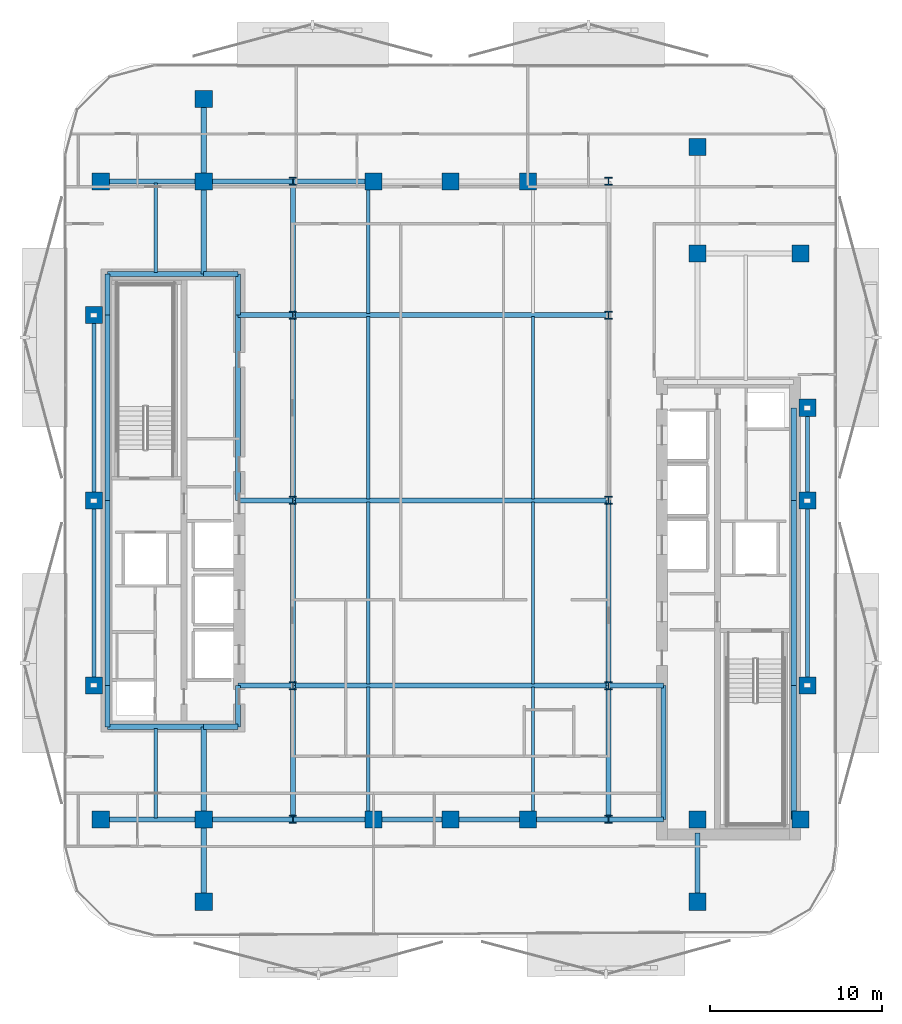
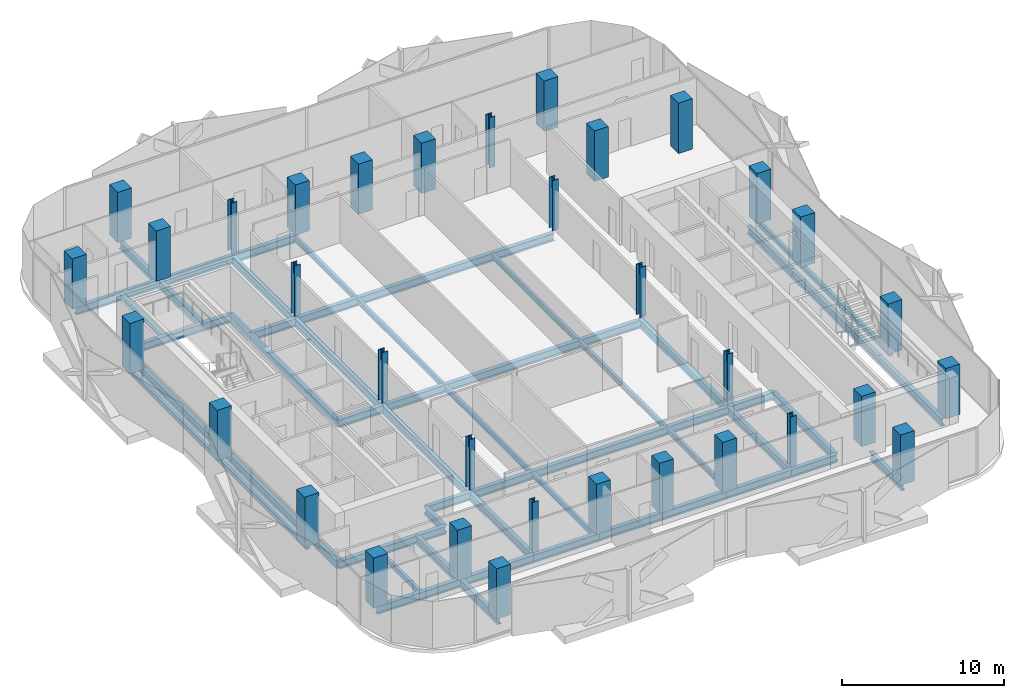
# One storey, part 1 of 16: 56 beams, 34 columns.
"""IFC4 building model written with IfcOpenShell, lengths in metres."""

from ifc_helpers import new_model, si_unit, direction, frame, origin, origin_2d, place, context, subcontext, project, spatial, rectangle, hollow_rectangle, i_section, extrude, material, material_profile, profile_set, type_object, element, save


model = new_model("IFC4")

# Units and contexts
model_context = context("Model", 3, precision=1e-05, world=origin(), true_north=direction((0.0, 1.0)))
body_context = subcontext(model_context, "Body", "Model", "MODEL_VIEW")
ifc_project = project(units=[si_unit("LENGTHUNIT", "METRE"), si_unit("AREAUNIT", "SQUARE_METRE"), si_unit("VOLUMEUNIT", "CUBIC_METRE"), si_unit("PLANEANGLEUNIT", "RADIAN"), si_unit("MASSUNIT", "GRAM", prefix="KILO")], contexts=[model_context])

# Site, building, storey
site_placement = place(None, origin())
site = spatial("IfcSite", under=ifc_project, at=site_placement, CompositionType="ELEMENT")
building_placement = place(site_placement, origin())
building = spatial("IfcBuilding", under=site, at=building_placement, Name="Khairoan Windgate Tower", CompositionType="ELEMENT")
storey_placement = place(building_placement, frame((0.0, 0.0, 187.800048828125)))
storey = spatial("IfcBuildingStorey", under=building, at=storey_placement, Name="L43", CompositionType="ELEMENT", Elevation=187.800048828125)

# Columns
ifc_material_1 = material(Name="Concrete C50/60", Category="concrete")
ifc_material_profile_1 = material_profile(ifc_material_1, rectangle(XDim=1.0, YDim=1.0, at=origin_2d()))
ifc_profile_set_1 = profile_set([ifc_material_profile_1], Name="Concrete C50/60")
column_type_1 = type_object("IfcColumnType", Name="Column C-T4 RC1000x1000", PredefinedType="COLUMN", material=ifc_profile_set_1)
for number, where, z_axis, x_axis, name in (
    (1, (-20.39990234375, -18.60009765625, 0.0), (0.0, 0.0, 1.0), (1.0, 0.0, 0.0), "Column L43-11"),
    (2, (-20.39990234375, 18.60009765625, 0.0), (0.0, 0.0, 1.0), (1.0, 0.0, 0.0), "Column L43-12"),
    (3, (20.39990234375, -18.60009765625, 0.0), (0.0, 0.0, 1.0), (1.0, 0.0, 0.0), "Column L43-13"),
    (4, (20.39990234375, 14.39990234375, 0.0), (0.0, 0.0, 1.0), (1.0, 0.0, 0.0), "Column L43-14"),
    (5, (-14.39990234375, -18.60009765625, 0.0), (0.0, 0.0, 1.0), (1.0, 0.0, 0.0), "Column L43-15"),
    (6, (-14.39990234375, 18.60009765625, 0.0), (0.0, 0.0, 1.0), (1.0, 0.0, 0.0), "Column L43-16"),
    (7, (14.39990234375, -18.60009765625, 0.0), (0.0, 0.0, 1.0), (1.0, 0.0, 0.0), "Column L43-17"),
    (8, (14.39990234375, 14.39990234375, 0.0), (0.0, 0.0, 1.0), (1.0, 0.0, 0.0), "Column L43-18"),
    (9, (-4.5, -18.60009765625, 0.0), (0.0, 0.0, 1.0), (1.0, 0.0, 0.0), "Column L43-19"),
    (10, (0.0, -18.60009765625, 0.0), (0.0, 0.0, 1.0), (1.0, 0.0, 0.0), "Column L43-20"),
    (11, (4.5, -18.60009765625, 0.0), (0.0, 0.0, 1.0), (1.0, 0.0, 0.0), "Column L43-21"),
    (12, (-4.5, 18.60009765625, 0.0), (0.0, 0.0, 1.0), (1.0, 0.0, 0.0), "Column L43-22"),
    (13, (0.0, 18.60009765625, 0.0), (0.0, 0.0, 1.0), (1.0, 0.0, 0.0), "Column L43-23"),
    (14, (4.5, 18.60009765625, 0.0), (0.0, 0.0, 1.0), (1.0, 0.0, 0.0), "Column L43-24"),
    (15, (-20.800048828125, -10.800048828125, 0.0), (0.0, 0.0, 1.0), (1.0, 0.0, 0.0), "Column L43-25"),
    (16, (-20.800048828125, 0.0, 0.0), (0.0, 0.0, 1.0), (1.0, 0.0, 0.0), "Column L43-26"),
    (17, (-20.800048828125, 10.800048828125, 0.0), (0.0, 0.0, 1.0), (1.0, 0.0, 0.0), "Column L43-27"),
    (18, (20.800048828125, -10.800048828125, 0.0), (0.0, 0.0, 1.0), (1.0, 0.0, 0.0), "Column L43-28"),
    (19, (20.800048828125, 0.0, 0.0), (0.0, 0.0, 1.0), (1.0, 0.0, 0.0), "Column L43-29"),
    (20, (20.800048828125, 5.39990234375, 0.0), (0.0, 0.0, 1.0), (1.0, 0.0, 0.0), "Column L43-30"),
    (21, (-14.39990234375, -23.39990234375, 0.0), (0.0, 0.0, 1.0), (1.0, 0.0, 0.0), "Column L43-31"),
    (22, (-14.39990234375, 23.39990234375, 0.0), (0.0, 0.0, 1.0), (1.0, 0.0, 0.0), "Column L43-32"),
    (23, (14.39990234375, -23.39990234375, 0.0), (0.0, 0.0, 1.0), (1.0, 0.0, 0.0), "Column L43-33"),
    (24, (14.39990234375, 20.60009765625, 0.0), (0.0, 0.0, 1.0), (1.0, 0.0, 0.0), "Column L43-34"),
):
    element("IfcColumn", number, at=place(storey_placement, frame(where, z_axis=z_axis, x_axis=x_axis)), inside=storey, type_object=column_type_1, Name=name, PredefinedType="COLUMN", context=body_context, shape_type="SweptSolid", body=[
        extrude(rectangle(XDim=1.0, YDim=1.0, at=origin_2d()), origin(), (0.0, 0.0, 1.0), 3.800048828125),
    ])
ifc_material_2 = material(Name="Steel S355", Category="steel")
ifc_material_profile_2 = material_profile(ifc_material_2, i_section(OverallWidth=0.4169921875, OverallDepth=0.4580078125, WebThickness=0.030029296875, FlangeThickness=0.050048828125, FilletRadius=0.02197265625, at=origin_2d()))
ifc_profile_set_2 = profile_set([ifc_material_profile_2], Name="Steel S355")
column_type_2 = type_object("IfcColumnType", Name="Steel Column SC2 H458x417x30x50", PredefinedType="COLUMN", material=ifc_profile_set_2)
for number, where, z_axis, x_axis, name in (
    (25, (-9.199951171875, -18.60009765625, 0.0), (0.0, 0.0, 1.0), (1.0, 0.0, 0.0), "Column L43-01"),
    (26, (-9.199951171875, -10.800048828125, 0.0), (0.0, 0.0, 1.0), (1.0, 0.0, 0.0), "Column L43-02"),
    (27, (-9.199951171875, 0.0, 0.0), (0.0, 0.0, 1.0), (1.0, 0.0, 0.0), "Column L43-03"),
    (28, (-9.199951171875, 10.800048828125, 0.0), (0.0, 0.0, 1.0), (1.0, 0.0, 0.0), "Column L43-04"),
    (29, (-9.199951171875, 18.60009765625, 0.0), (0.0, 0.0, 1.0), (1.0, 0.0, 0.0), "Column L43-05"),
    (30, (9.199951171875, -18.60009765625, 0.0), (0.0, 0.0, 1.0), (1.0, 0.0, 0.0), "Column L43-06"),
    (31, (9.199951171875, -10.800048828125, 0.0), (0.0, 0.0, 1.0), (1.0, 0.0, 0.0), "Column L43-07"),
    (32, (9.199951171875, 0.0, 0.0), (0.0, 0.0, 1.0), (1.0, 0.0, 0.0), "Column L43-08"),
    (33, (9.199951171875, 10.800048828125, 0.0), (0.0, 0.0, 1.0), (1.0, 0.0, 0.0), "Column L43-09"),
    (34, (9.199951171875, 18.60009765625, 0.0), (0.0, 0.0, 1.0), (1.0, 0.0, 0.0), "Column L43-10"),
):
    element("IfcColumn", number, at=place(storey_placement, frame(where, z_axis=z_axis, x_axis=x_axis)), inside=storey, type_object=column_type_2, Name=name, PredefinedType="COLUMN", context=body_context, shape_type="SweptSolid", body=[
        extrude(i_section(OverallWidth=0.4169921875, OverallDepth=0.4580078125, WebThickness=0.030029296875, FlangeThickness=0.050048828125, FilletRadius=0.02197265625, at=origin_2d()), origin(), (0.0, 0.0, 1.0), 3.800048828125),
    ])

# Beams
ifc_material_3 = material(Name="Steel S355", Category="steel")
ifc_material_profile_3 = material_profile(ifc_material_3, i_section(OverallWidth=0.300048828125, OverallDepth=0.587890625, WebThickness=0.011962890625, FlangeThickness=0.02001953125, FilletRadius=0.02392578125, at=origin_2d()))
ifc_profile_set_3 = profile_set([ifc_material_profile_3], Name="Steel S355")
beam_type_1 = type_object("IfcBeamType", Name="Beam B-G4 H588x300x12x20", PredefinedType="BEAM", material=ifc_profile_set_3)
beam_1_placement = place(storey_placement, frame((-20.39990234375, -18.60009765625, -0.553955078125), z_axis=(1.0, 0.0, 0.0), x_axis=(0.0, 1.0, 0.0)))
element("IfcBeam", 35, at=beam_1_placement, inside=storey, type_object=beam_type_1, Name="L43 E-W Primary Girder 01", PredefinedType="BEAM", context=body_context, shape_type="SweptSolid", body=[
    extrude(i_section(OverallWidth=0.300048828125, OverallDepth=0.587890625, WebThickness=0.011962890625, FlangeThickness=0.02001953125, FilletRadius=0.02392578125, at=origin_2d()), origin(), (0.0, 0.0, 1.0), 6.0),
])
beam_2_placement = place(storey_placement, frame((-14.39990234375, -18.60009765625, -0.553955078125), z_axis=(1.0, 0.0, 0.0), x_axis=(0.0, 1.0, 0.0)))
element("IfcBeam", 36, at=beam_2_placement, inside=storey, type_object=beam_type_1, Name="L43 E-W Primary Girder 02", PredefinedType="BEAM", context=body_context, shape_type="SweptSolid", body=[
    extrude(i_section(OverallWidth=0.300048828125, OverallDepth=0.587890625, WebThickness=0.011962890625, FlangeThickness=0.02001953125, FilletRadius=0.02392578125, at=origin_2d()), origin(), (0.0, 0.0, 1.0), 5.199951171875),
])
beam_3_placement = place(storey_placement, frame((-9.199951171875, -18.60009765625, -0.553955078125), z_axis=(1.0, 0.0, 0.0), x_axis=(0.0, 1.0, 0.0)))
element("IfcBeam", 37, at=beam_3_placement, inside=storey, type_object=beam_type_1, Name="L43 E-W Primary Girder 03", PredefinedType="BEAM", context=body_context, shape_type="SweptSolid", body=[
    extrude(i_section(OverallWidth=0.300048828125, OverallDepth=0.587890625, WebThickness=0.011962890625, FlangeThickness=0.02001953125, FilletRadius=0.02392578125, at=origin_2d()), origin(), (0.0, 0.0, 1.0), 4.699951171875),
])
for number, where, z_axis, x_axis, name in (
    (38, (-4.5, -18.60009765625, -0.553955078125), (1.0, 0.0, 0.0), (0.0, 1.0, 0.0), "L43 E-W Primary Girder 04"),
    (39, (0.0, -18.60009765625, -0.553955078125), (1.0, 0.0, 0.0), (0.0, 1.0, 0.0), "L43 E-W Primary Girder 05"),
):
    element("IfcBeam", number, at=place(storey_placement, frame(where, z_axis=z_axis, x_axis=x_axis)), inside=storey, type_object=beam_type_1, Name=name, PredefinedType="BEAM", context=body_context, shape_type="SweptSolid", body=[
        extrude(i_section(OverallWidth=0.300048828125, OverallDepth=0.587890625, WebThickness=0.011962890625, FlangeThickness=0.02001953125, FilletRadius=0.02392578125, at=origin_2d()), origin(), (0.0, 0.0, 1.0), 4.5),
    ])
beam_4_placement = place(storey_placement, frame((4.5, -18.60009765625, -0.553955078125), z_axis=(1.0, 0.0, 0.0), x_axis=(0.0, 1.0, 0.0)))
element("IfcBeam", 40, at=beam_4_placement, inside=storey, type_object=beam_type_1, Name="L43 E-W Primary Girder 06", PredefinedType="BEAM", context=body_context, shape_type="SweptSolid", body=[
    extrude(i_section(OverallWidth=0.300048828125, OverallDepth=0.587890625, WebThickness=0.011962890625, FlangeThickness=0.02001953125, FilletRadius=0.02392578125, at=origin_2d()), origin(), (0.0, 0.0, 1.0), 4.699951171875),
])
beam_5_placement = place(storey_placement, frame((9.199951171875, -18.60009765625, -0.553955078125), z_axis=(1.0, 0.0, 0.0), x_axis=(0.0, 1.0, 0.0)))
element("IfcBeam", 41, at=beam_5_placement, inside=storey, type_object=beam_type_1, Name="L43 E-W Primary Girder 07", PredefinedType="BEAM", context=body_context, shape_type="SweptSolid", body=[
    extrude(i_section(OverallWidth=0.300048828125, OverallDepth=0.587890625, WebThickness=0.011962890625, FlangeThickness=0.02001953125, FilletRadius=0.02392578125, at=origin_2d()), origin(), (0.0, 0.0, 1.0), 3.199951171875),
])
beam_6_placement = place(storey_placement, frame((-20.0, -13.199951171875, -0.553955078125), z_axis=(1.0, 0.0, 0.0), x_axis=(0.0, 1.0, 0.0)))
element("IfcBeam", 42, at=beam_6_placement, inside=storey, type_object=beam_type_1, Name="L43 E-W Primary Girder 08", PredefinedType="BEAM", context=body_context, shape_type="SweptSolid", body=[
    extrude(i_section(OverallWidth=0.300048828125, OverallDepth=0.587890625, WebThickness=0.011962890625, FlangeThickness=0.02001953125, FilletRadius=0.02392578125, at=origin_2d()), origin(), (0.0, 0.0, 1.0), 5.60009765625),
])
beam_7_placement = place(storey_placement, frame((-14.39990234375, -13.199951171875, -0.553955078125), z_axis=(1.0, 0.0, 0.0), x_axis=(0.0, 1.0, 0.0)))
element("IfcBeam", 43, at=beam_7_placement, inside=storey, type_object=beam_type_1, Name="L43 E-W Primary Girder 09", PredefinedType="BEAM", context=body_context, shape_type="SweptSolid", body=[
    extrude(i_section(OverallWidth=0.300048828125, OverallDepth=0.587890625, WebThickness=0.011962890625, FlangeThickness=0.02001953125, FilletRadius=0.02392578125, at=origin_2d()), origin(), (0.0, 0.0, 1.0), 2.0),
])
beam_8_placement = place(storey_placement, frame((-12.39990234375, -10.800048828125, -0.553955078125), z_axis=(1.0, 0.0, 0.0), x_axis=(0.0, 1.0, 0.0)))
element("IfcBeam", 44, at=beam_8_placement, inside=storey, type_object=beam_type_1, Name="L43 E-W Primary Girder 10", PredefinedType="BEAM", context=body_context, shape_type="SweptSolid", body=[
    extrude(i_section(OverallWidth=0.300048828125, OverallDepth=0.587890625, WebThickness=0.011962890625, FlangeThickness=0.02001953125, FilletRadius=0.02392578125, at=origin_2d()), origin(), (0.0, 0.0, 1.0), 3.199951171875),
])
beam_9_placement = place(storey_placement, frame((-9.199951171875, -10.800048828125, -0.553955078125), z_axis=(1.0, 0.0, 0.0), x_axis=(0.0, 1.0, 0.0)))
element("IfcBeam", 45, at=beam_9_placement, inside=storey, type_object=beam_type_1, Name="L43 E-W Primary Girder 11", PredefinedType="BEAM", context=body_context, shape_type="SweptSolid", body=[
    extrude(i_section(OverallWidth=0.300048828125, OverallDepth=0.587890625, WebThickness=0.011962890625, FlangeThickness=0.02001953125, FilletRadius=0.02392578125, at=origin_2d()), origin(), (0.0, 0.0, 1.0), 18.39990234375),
])
for number, where, z_axis, x_axis, name in (
    (46, (9.199951171875, -10.800048828125, -0.553955078125), (1.0, 0.0, 0.0), (0.0, 1.0, 0.0), "L43 E-W Primary Girder 12"),
    (47, (-12.39990234375, 0.0, -0.553955078125), (1.0, 0.0, 0.0), (0.0, 1.0, 0.0), "L43 E-W Primary Girder 13"),
):
    element("IfcBeam", number, at=place(storey_placement, frame(where, z_axis=z_axis, x_axis=x_axis)), inside=storey, type_object=beam_type_1, Name=name, PredefinedType="BEAM", context=body_context, shape_type="SweptSolid", body=[
        extrude(i_section(OverallWidth=0.300048828125, OverallDepth=0.587890625, WebThickness=0.011962890625, FlangeThickness=0.02001953125, FilletRadius=0.02392578125, at=origin_2d()), origin(), (0.0, 0.0, 1.0), 3.199951171875),
    ])
beam_10_placement = place(storey_placement, frame((-9.199951171875, 0.0, -0.553955078125), z_axis=(1.0, 0.0, 0.0), x_axis=(0.0, 1.0, 0.0)))
element("IfcBeam", 48, at=beam_10_placement, inside=storey, type_object=beam_type_1, Name="L43 E-W Primary Girder 14", PredefinedType="BEAM", context=body_context, shape_type="SweptSolid", body=[
    extrude(i_section(OverallWidth=0.300048828125, OverallDepth=0.587890625, WebThickness=0.011962890625, FlangeThickness=0.02001953125, FilletRadius=0.02392578125, at=origin_2d()), origin(), (0.0, 0.0, 1.0), 18.39990234375),
])
beam_11_placement = place(storey_placement, frame((-12.39990234375, 10.800048828125, -0.553955078125), z_axis=(1.0, 0.0, 0.0), x_axis=(0.0, 1.0, 0.0)))
element("IfcBeam", 49, at=beam_11_placement, inside=storey, type_object=beam_type_1, Name="L43 E-W Primary Girder 17", PredefinedType="BEAM", context=body_context, shape_type="SweptSolid", body=[
    extrude(i_section(OverallWidth=0.300048828125, OverallDepth=0.587890625, WebThickness=0.011962890625, FlangeThickness=0.02001953125, FilletRadius=0.02392578125, at=origin_2d()), origin(), (0.0, 0.0, 1.0), 3.199951171875),
])
beam_12_placement = place(storey_placement, frame((-9.199951171875, 10.800048828125, -0.553955078125), z_axis=(1.0, 0.0, 0.0), x_axis=(0.0, 1.0, 0.0)))
element("IfcBeam", 50, at=beam_12_placement, inside=storey, type_object=beam_type_1, Name="L43 E-W Primary Girder 18", PredefinedType="BEAM", context=body_context, shape_type="SweptSolid", body=[
    extrude(i_section(OverallWidth=0.300048828125, OverallDepth=0.587890625, WebThickness=0.011962890625, FlangeThickness=0.02001953125, FilletRadius=0.02392578125, at=origin_2d()), origin(), (0.0, 0.0, 1.0), 18.39990234375),
])
beam_13_placement = place(storey_placement, frame((-20.0, 13.199951171875, -0.553955078125), z_axis=(1.0, 0.0, 0.0), x_axis=(0.0, 1.0, 0.0)))
element("IfcBeam", 51, at=beam_13_placement, inside=storey, type_object=beam_type_1, Name="L43 E-W Primary Girder 19", PredefinedType="BEAM", context=body_context, shape_type="SweptSolid", body=[
    extrude(i_section(OverallWidth=0.300048828125, OverallDepth=0.587890625, WebThickness=0.011962890625, FlangeThickness=0.02001953125, FilletRadius=0.02392578125, at=origin_2d()), origin(), (0.0, 0.0, 1.0), 5.60009765625),
])
beam_14_placement = place(storey_placement, frame((-14.39990234375, 13.199951171875, -0.553955078125), z_axis=(1.0, 0.0, 0.0), x_axis=(0.0, 1.0, 0.0)))
element("IfcBeam", 52, at=beam_14_placement, inside=storey, type_object=beam_type_1, Name="L43 E-W Primary Girder 20", PredefinedType="BEAM", context=body_context, shape_type="SweptSolid", body=[
    extrude(i_section(OverallWidth=0.300048828125, OverallDepth=0.587890625, WebThickness=0.011962890625, FlangeThickness=0.02001953125, FilletRadius=0.02392578125, at=origin_2d()), origin(), (0.0, 0.0, 1.0), 2.0),
])
beam_15_placement = place(storey_placement, frame((-20.39990234375, 18.60009765625, -0.553955078125), z_axis=(1.0, 0.0, 0.0), x_axis=(0.0, 1.0, 0.0)))
element("IfcBeam", 53, at=beam_15_placement, inside=storey, type_object=beam_type_1, Name="L43 E-W Primary Girder 22", PredefinedType="BEAM", context=body_context, shape_type="SweptSolid", body=[
    extrude(i_section(OverallWidth=0.300048828125, OverallDepth=0.587890625, WebThickness=0.011962890625, FlangeThickness=0.02001953125, FilletRadius=0.02392578125, at=origin_2d()), origin(), (0.0, 0.0, 1.0), 6.0),
])
beam_16_placement = place(storey_placement, frame((-14.39990234375, 18.60009765625, -0.553955078125), z_axis=(1.0, 0.0, 0.0), x_axis=(0.0, 1.0, 0.0)))
element("IfcBeam", 54, at=beam_16_placement, inside=storey, type_object=beam_type_1, Name="L43 E-W Primary Girder 23", PredefinedType="BEAM", context=body_context, shape_type="SweptSolid", body=[
    extrude(i_section(OverallWidth=0.300048828125, OverallDepth=0.587890625, WebThickness=0.011962890625, FlangeThickness=0.02001953125, FilletRadius=0.02392578125, at=origin_2d()), origin(), (0.0, 0.0, 1.0), 5.199951171875),
])
beam_17_placement = place(storey_placement, frame((-9.199951171875, 18.60009765625, -0.553955078125), z_axis=(1.0, 0.0, 0.0), x_axis=(0.0, 1.0, 0.0)))
element("IfcBeam", 55, at=beam_17_placement, inside=storey, type_object=beam_type_1, Name="L43 E-W Primary Girder 24", PredefinedType="BEAM", context=body_context, shape_type="SweptSolid", body=[
    extrude(i_section(OverallWidth=0.300048828125, OverallDepth=0.587890625, WebThickness=0.011962890625, FlangeThickness=0.02001953125, FilletRadius=0.02392578125, at=origin_2d()), origin(), (0.0, 0.0, 1.0), 4.699951171875),
])
beam_18_placement = place(storey_placement, frame((-20.0, -13.199951171875, -0.553955078125), z_axis=(0.0, 1.0, 0.0), x_axis=(-1.0, 0.0, 0.0)))
element("IfcBeam", 56, at=beam_18_placement, inside=storey, type_object=beam_type_1, Name="L43 N-S Primary Beam 30", PredefinedType="BEAM", context=body_context, shape_type="SweptSolid", body=[
    extrude(i_section(OverallWidth=0.300048828125, OverallDepth=0.587890625, WebThickness=0.011962890625, FlangeThickness=0.02001953125, FilletRadius=0.02392578125, at=origin_2d()), origin(), (0.0, 0.0, 1.0), 2.39990234375),
])
for number, where, z_axis, x_axis, name in (
    (57, (-20.0, -10.800048828125, -0.553955078125), (0.0, 1.0, 0.0), (-1.0, 0.0, 0.0), "L43 N-S Primary Beam 31"),
    (58, (-20.0, 0.0, -0.553955078125), (0.0, 1.0, 0.0), (-1.0, 0.0, 0.0), "L43 N-S Primary Beam 32"),
):
    element("IfcBeam", number, at=place(storey_placement, frame(where, z_axis=z_axis, x_axis=x_axis)), inside=storey, type_object=beam_type_1, Name=name, PredefinedType="BEAM", context=body_context, shape_type="SweptSolid", body=[
        extrude(i_section(OverallWidth=0.300048828125, OverallDepth=0.587890625, WebThickness=0.011962890625, FlangeThickness=0.02001953125, FilletRadius=0.02392578125, at=origin_2d()), origin(), (0.0, 0.0, 1.0), 10.800048828125),
    ])
beam_19_placement = place(storey_placement, frame((-20.0, 10.800048828125, -0.553955078125), z_axis=(0.0, 1.0, 0.0), x_axis=(-1.0, 0.0, 0.0)))
element("IfcBeam", 59, at=beam_19_placement, inside=storey, type_object=beam_type_1, Name="L43 N-S Primary Beam 33", PredefinedType="BEAM", context=body_context, shape_type="SweptSolid", body=[
    extrude(i_section(OverallWidth=0.300048828125, OverallDepth=0.587890625, WebThickness=0.011962890625, FlangeThickness=0.02001953125, FilletRadius=0.02392578125, at=origin_2d()), origin(), (0.0, 0.0, 1.0), 2.39990234375),
])
beam_20_placement = place(storey_placement, frame((-14.39990234375, -23.39990234375, -0.553955078125), z_axis=(0.0, 1.0, 0.0), x_axis=(-1.0, 0.0, 0.0)))
element("IfcBeam", 60, at=beam_20_placement, inside=storey, type_object=beam_type_1, Name="L43 N-S Primary Beam 34", PredefinedType="BEAM", context=body_context, shape_type="SweptSolid", body=[
    extrude(i_section(OverallWidth=0.300048828125, OverallDepth=0.587890625, WebThickness=0.011962890625, FlangeThickness=0.02001953125, FilletRadius=0.02392578125, at=origin_2d()), origin(), (0.0, 0.0, 1.0), 4.7998046875),
])
for number, where, z_axis, x_axis, name in (
    (61, (-14.39990234375, -18.60009765625, -0.553955078125), (0.0, 1.0, 0.0), (-1.0, 0.0, 0.0), "L43 N-S Primary Beam 35"),
    (62, (-14.39990234375, 13.199951171875, -0.553955078125), (0.0, 1.0, 0.0), (-1.0, 0.0, 0.0), "L43 N-S Primary Beam 36"),
):
    element("IfcBeam", number, at=place(storey_placement, frame(where, z_axis=z_axis, x_axis=x_axis)), inside=storey, type_object=beam_type_1, Name=name, PredefinedType="BEAM", context=body_context, shape_type="SweptSolid", body=[
        extrude(i_section(OverallWidth=0.300048828125, OverallDepth=0.587890625, WebThickness=0.011962890625, FlangeThickness=0.02001953125, FilletRadius=0.02392578125, at=origin_2d()), origin(), (0.0, 0.0, 1.0), 5.400146484375),
    ])
beam_21_placement = place(storey_placement, frame((-14.39990234375, 18.60009765625, -0.553955078125), z_axis=(0.0, 1.0, 0.0), x_axis=(-1.0, 0.0, 0.0)))
element("IfcBeam", 63, at=beam_21_placement, inside=storey, type_object=beam_type_1, Name="L43 N-S Primary Beam 37", PredefinedType="BEAM", context=body_context, shape_type="SweptSolid", body=[
    extrude(i_section(OverallWidth=0.300048828125, OverallDepth=0.587890625, WebThickness=0.011962890625, FlangeThickness=0.02001953125, FilletRadius=0.02392578125, at=origin_2d()), origin(), (0.0, 0.0, 1.0), 4.7998046875),
])
beam_22_placement = place(storey_placement, frame((-12.39990234375, -13.199951171875, -0.553955078125), z_axis=(0.0, 1.0, 0.0), x_axis=(-1.0, 0.0, 0.0)))
element("IfcBeam", 64, at=beam_22_placement, inside=storey, type_object=beam_type_1, Name="L43 N-S Primary Beam 38", PredefinedType="BEAM", context=body_context, shape_type="SweptSolid", body=[
    extrude(i_section(OverallWidth=0.300048828125, OverallDepth=0.587890625, WebThickness=0.011962890625, FlangeThickness=0.02001953125, FilletRadius=0.02392578125, at=origin_2d()), origin(), (0.0, 0.0, 1.0), 2.39990234375),
])
beam_23_placement = place(storey_placement, frame((-12.39990234375, 0.0, -0.553955078125), z_axis=(0.0, 1.0, 0.0), x_axis=(-1.0, 0.0, 0.0)))
element("IfcBeam", 65, at=beam_23_placement, inside=storey, type_object=beam_type_1, Name="L43 N-S Primary Beam 39", PredefinedType="BEAM", context=body_context, shape_type="SweptSolid", body=[
    extrude(i_section(OverallWidth=0.300048828125, OverallDepth=0.587890625, WebThickness=0.011962890625, FlangeThickness=0.02001953125, FilletRadius=0.02392578125, at=origin_2d()), origin(), (0.0, 0.0, 1.0), 10.800048828125),
])
beam_24_placement = place(storey_placement, frame((-12.39990234375, 10.800048828125, -0.553955078125), z_axis=(0.0, 1.0, 0.0), x_axis=(-1.0, 0.0, 0.0)))
element("IfcBeam", 66, at=beam_24_placement, inside=storey, type_object=beam_type_1, Name="L43 N-S Primary Beam 40", PredefinedType="BEAM", context=body_context, shape_type="SweptSolid", body=[
    extrude(i_section(OverallWidth=0.300048828125, OverallDepth=0.587890625, WebThickness=0.011962890625, FlangeThickness=0.02001953125, FilletRadius=0.02392578125, at=origin_2d()), origin(), (0.0, 0.0, 1.0), 2.39990234375),
])
beam_25_placement = place(storey_placement, frame((-9.199951171875, -18.60009765625, -0.553955078125), z_axis=(0.0, 1.0, 0.0), x_axis=(-1.0, 0.0, 0.0)))
element("IfcBeam", 67, at=beam_25_placement, inside=storey, type_object=beam_type_1, Name="L43 N-S Primary Beam 41", PredefinedType="BEAM", context=body_context, shape_type="SweptSolid", body=[
    extrude(i_section(OverallWidth=0.300048828125, OverallDepth=0.587890625, WebThickness=0.011962890625, FlangeThickness=0.02001953125, FilletRadius=0.02392578125, at=origin_2d()), origin(), (0.0, 0.0, 1.0), 7.800048828125),
])
for number, where, z_axis, x_axis, name in (
    (68, (-9.199951171875, -10.800048828125, -0.553955078125), (0.0, 1.0, 0.0), (-1.0, 0.0, 0.0), "L43 N-S Primary Beam 42"),
    (69, (-9.199951171875, 0.0, -0.553955078125), (0.0, 1.0, 0.0), (-1.0, 0.0, 0.0), "L43 N-S Primary Beam 43"),
):
    element("IfcBeam", number, at=place(storey_placement, frame(where, z_axis=z_axis, x_axis=x_axis)), inside=storey, type_object=beam_type_1, Name=name, PredefinedType="BEAM", context=body_context, shape_type="SweptSolid", body=[
        extrude(i_section(OverallWidth=0.300048828125, OverallDepth=0.587890625, WebThickness=0.011962890625, FlangeThickness=0.02001953125, FilletRadius=0.02392578125, at=origin_2d()), origin(), (0.0, 0.0, 1.0), 10.800048828125),
    ])
for number, where, z_axis, x_axis, name in (
    (70, (-9.199951171875, 10.800048828125, -0.553955078125), (0.0, 1.0, 0.0), (-1.0, 0.0, 0.0), "L43 N-S Primary Beam 44"),
    (71, (9.199951171875, -18.60009765625, -0.553955078125), (0.0, 1.0, 0.0), (-1.0, 0.0, 0.0), "L43 N-S Primary Beam 45"),
):
    element("IfcBeam", number, at=place(storey_placement, frame(where, z_axis=z_axis, x_axis=x_axis)), inside=storey, type_object=beam_type_1, Name=name, PredefinedType="BEAM", context=body_context, shape_type="SweptSolid", body=[
        extrude(i_section(OverallWidth=0.300048828125, OverallDepth=0.587890625, WebThickness=0.011962890625, FlangeThickness=0.02001953125, FilletRadius=0.02392578125, at=origin_2d()), origin(), (0.0, 0.0, 1.0), 7.800048828125),
    ])
beam_26_placement = place(storey_placement, frame((9.199951171875, -10.800048828125, -0.553955078125), z_axis=(0.0, 1.0, 0.0), x_axis=(-1.0, 0.0, 0.0)))
element("IfcBeam", 72, at=beam_26_placement, inside=storey, type_object=beam_type_1, Name="L43 N-S Primary Beam 46", PredefinedType="BEAM", context=body_context, shape_type="SweptSolid", body=[
    extrude(i_section(OverallWidth=0.300048828125, OverallDepth=0.587890625, WebThickness=0.011962890625, FlangeThickness=0.02001953125, FilletRadius=0.02392578125, at=origin_2d()), origin(), (0.0, 0.0, 1.0), 10.800048828125),
])
beam_27_placement = place(storey_placement, frame((12.39990234375, -18.60009765625, -0.553955078125), z_axis=(0.0, 1.0, 0.0), x_axis=(-1.0, 0.0, 0.0)))
element("IfcBeam", 73, at=beam_27_placement, inside=storey, type_object=beam_type_1, Name="L43 N-S Primary Beam 49", PredefinedType="BEAM", context=body_context, shape_type="SweptSolid", body=[
    extrude(i_section(OverallWidth=0.300048828125, OverallDepth=0.587890625, WebThickness=0.011962890625, FlangeThickness=0.02001953125, FilletRadius=0.02392578125, at=origin_2d()), origin(), (0.0, 0.0, 1.0), 7.800048828125),
])
beam_28_placement = place(storey_placement, frame((14.39990234375, -23.39990234375, -0.553955078125), z_axis=(0.0, 1.0, 0.0), x_axis=(-1.0, 0.0, 0.0)))
element("IfcBeam", 74, at=beam_28_placement, inside=storey, type_object=beam_type_1, Name="L43 N-S Primary Beam 50", PredefinedType="BEAM", context=body_context, shape_type="SweptSolid", body=[
    extrude(i_section(OverallWidth=0.300048828125, OverallDepth=0.587890625, WebThickness=0.011962890625, FlangeThickness=0.02001953125, FilletRadius=0.02392578125, at=origin_2d()), origin(), (0.0, 0.0, 1.0), 4.0),
])
beam_29_placement = place(storey_placement, frame((20.0, -18.60009765625, -0.553955078125), z_axis=(0.0, 1.0, 0.0), x_axis=(-1.0, 0.0, 0.0)))
element("IfcBeam", 75, at=beam_29_placement, inside=storey, type_object=beam_type_1, Name="L43 N-S Primary Beam 53", PredefinedType="BEAM", context=body_context, shape_type="SweptSolid", body=[
    extrude(i_section(OverallWidth=0.300048828125, OverallDepth=0.587890625, WebThickness=0.011962890625, FlangeThickness=0.02001953125, FilletRadius=0.02392578125, at=origin_2d()), origin(), (0.0, 0.0, 1.0), 7.800048828125),
])
beam_30_placement = place(storey_placement, frame((20.0, -10.800048828125, -0.553955078125), z_axis=(0.0, 1.0, 0.0), x_axis=(-1.0, 0.0, 0.0)))
element("IfcBeam", 76, at=beam_30_placement, inside=storey, type_object=beam_type_1, Name="L43 N-S Primary Beam 54", PredefinedType="BEAM", context=body_context, shape_type="SweptSolid", body=[
    extrude(i_section(OverallWidth=0.300048828125, OverallDepth=0.587890625, WebThickness=0.011962890625, FlangeThickness=0.02001953125, FilletRadius=0.02392578125, at=origin_2d()), origin(), (0.0, 0.0, 1.0), 10.800048828125),
])
beam_31_placement = place(storey_placement, frame((20.0, 0.0, -0.553955078125), z_axis=(0.0, 1.0, 0.0), x_axis=(-1.0, 0.0, 0.0)))
element("IfcBeam", 77, at=beam_31_placement, inside=storey, type_object=beam_type_1, Name="L43 N-S Primary Beam 55", PredefinedType="BEAM", context=body_context, shape_type="SweptSolid", body=[
    extrude(i_section(OverallWidth=0.300048828125, OverallDepth=0.587890625, WebThickness=0.011962890625, FlangeThickness=0.02001953125, FilletRadius=0.02392578125, at=origin_2d()), origin(), (0.0, 0.0, 1.0), 5.39990234375),
])
ifc_material_4 = material(Name="Steel S355", Category="steel")
ifc_material_profile_4 = material_profile(ifc_material_4, i_section(OverallWidth=0.199951171875, OverallDepth=0.39990234375, WebThickness=0.008056640625, FlangeThickness=0.012939453125, FilletRadius=0.01611328125, at=origin_2d()))
ifc_profile_set_4 = profile_set([ifc_material_profile_4], Name="Steel S355")
beam_type_2 = type_object("IfcBeamType", Name="Beam J-S4 H400x200x8x13", PredefinedType="JOIST", material=ifc_profile_set_4)
for number, where, z_axis, x_axis, name in (
    (78, (-17.199951171875, -18.510009765625, -0.4599609375), (0.0, 1.0, 0.0), (-1.0, 0.0, 0.0), "L43 Secondary Floor Joist 01"),
    (79, (-17.199951171875, 13.2900390625, -0.4599609375), (0.0, 1.0, 0.0), (-1.0, 0.0, 0.0), "L43 Secondary Floor Joist 02"),
):
    element("IfcBeam", number, at=place(storey_placement, frame(where, z_axis=z_axis, x_axis=x_axis)), inside=storey, type_object=beam_type_2, Name=name, PredefinedType="JOIST", context=body_context, shape_type="SweptSolid", body=[
        extrude(i_section(OverallWidth=0.199951171875, OverallDepth=0.39990234375, WebThickness=0.008056640625, FlangeThickness=0.012939453125, FilletRadius=0.01611328125, at=origin_2d()), origin(), (0.0, 0.0, 1.0), 5.219970703125),
    ])
beam_32_placement = place(storey_placement, frame((-4.800048828125, -18.510009765625, -0.4599609375), z_axis=(0.0, 1.0, 0.0), x_axis=(-1.0, 0.0, 0.0)))
element("IfcBeam", 80, at=beam_32_placement, inside=storey, type_object=beam_type_2, Name="L43 Secondary Floor Joist 03", PredefinedType="JOIST", context=body_context, shape_type="SweptSolid", body=[
    extrude(i_section(OverallWidth=0.199951171875, OverallDepth=0.39990234375, WebThickness=0.008056640625, FlangeThickness=0.012939453125, FilletRadius=0.01611328125, at=origin_2d()), origin(), (0.0, 0.0, 1.0), 7.6201171875),
])
for number, where, z_axis, x_axis, name in (
    (81, (-4.800048828125, -10.7099609375, -0.4599609375), (0.0, 1.0, 0.0), (-1.0, 0.0, 0.0), "L43 Secondary Floor Joist 04"),
    (82, (-4.800048828125, 0.090087890625, -0.4599609375), (0.0, 1.0, 0.0), (-1.0, 0.0, 0.0), "L43 Secondary Floor Joist 05"),
):
    element("IfcBeam", number, at=place(storey_placement, frame(where, z_axis=z_axis, x_axis=x_axis)), inside=storey, type_object=beam_type_2, Name=name, PredefinedType="JOIST", context=body_context, shape_type="SweptSolid", body=[
        extrude(i_section(OverallWidth=0.199951171875, OverallDepth=0.39990234375, WebThickness=0.008056640625, FlangeThickness=0.012939453125, FilletRadius=0.01611328125, at=origin_2d()), origin(), (0.0, 0.0, 1.0), 10.619873046875),
    ])
for number, where, z_axis, x_axis, name in (
    (83, (-4.800048828125, 10.889892578125, -0.4599609375), (0.0, 1.0, 0.0), (-1.0, 0.0, 0.0), "L43 Secondary Floor Joist 06"),
    (84, (4.800048828125, -18.510009765625, -0.4599609375), (0.0, 1.0, 0.0), (-1.0, 0.0, 0.0), "L43 Secondary Floor Joist 07"),
):
    element("IfcBeam", number, at=place(storey_placement, frame(where, z_axis=z_axis, x_axis=x_axis)), inside=storey, type_object=beam_type_2, Name=name, PredefinedType="JOIST", context=body_context, shape_type="SweptSolid", body=[
        extrude(i_section(OverallWidth=0.199951171875, OverallDepth=0.39990234375, WebThickness=0.008056640625, FlangeThickness=0.012939453125, FilletRadius=0.01611328125, at=origin_2d()), origin(), (0.0, 0.0, 1.0), 7.6201171875),
    ])
for number, where, z_axis, x_axis, name in (
    (85, (4.800048828125, -10.7099609375, -0.4599609375), (0.0, 1.0, 0.0), (-1.0, 0.0, 0.0), "L43 Secondary Floor Joist 08"),
    (86, (4.800048828125, 0.090087890625, -0.4599609375), (0.0, 1.0, 0.0), (-1.0, 0.0, 0.0), "L43 Secondary Floor Joist 09"),
):
    element("IfcBeam", number, at=place(storey_placement, frame(where, z_axis=z_axis, x_axis=x_axis)), inside=storey, type_object=beam_type_2, Name=name, PredefinedType="JOIST", context=body_context, shape_type="SweptSolid", body=[
        extrude(i_section(OverallWidth=0.199951171875, OverallDepth=0.39990234375, WebThickness=0.008056640625, FlangeThickness=0.012939453125, FilletRadius=0.01611328125, at=origin_2d()), origin(), (0.0, 0.0, 1.0), 10.619873046875),
    ])
ifc_material_5 = material(Name="Steel S355", Category="steel")
ifc_material_profile_5 = material_profile(ifc_material_5, hollow_rectangle(XDim=0.25, YDim=0.35009765625, WallThickness=0.012451171875, InnerFilletRadius=0.012451171875, OuterFilletRadius=0.02490234375, at=origin_2d()))
ifc_profile_set_5 = profile_set([ifc_material_profile_5], Name="Steel S355")
beam_type_3 = type_object("IfcBeamType", Name="Beam SP-B2 RHS350x250x12.5", PredefinedType="SPANDREL", material=ifc_profile_set_5)
for number, where, z_axis, x_axis, name in (
    (87, (-20.800048828125, -10.800048828125, -0.43505859375), (0.0, 1.0, 0.0), (-1.0, 0.0, 0.0), "L43 Spandrel Beam 28"),
    (88, (-20.800048828125, 0.0, -0.43505859375), (0.0, 1.0, 0.0), (-1.0, 0.0, 0.0), "L43 Spandrel Beam 29"),
    (89, (20.800048828125, -10.800048828125, -0.43505859375), (0.0, 1.0, 0.0), (-1.0, 0.0, 0.0), "L43 Spandrel Beam 56"),
):
    element("IfcBeam", number, at=place(storey_placement, frame(where, z_axis=z_axis, x_axis=x_axis)), inside=storey, type_object=beam_type_3, Name=name, PredefinedType="SPANDREL", context=body_context, shape_type="SweptSolid", body=[
        extrude(hollow_rectangle(XDim=0.25, YDim=0.35009765625, WallThickness=0.012451171875, InnerFilletRadius=0.012451171875, OuterFilletRadius=0.02490234375, at=origin_2d()), origin(), (0.0, 0.0, 1.0), 10.800048828125),
    ])
beam_33_placement = place(storey_placement, frame((20.800048828125, 0.0, -0.43505859375), z_axis=(0.0, 1.0, 0.0), x_axis=(-1.0, 0.0, 0.0)))
element("IfcBeam", 90, at=beam_33_placement, inside=storey, type_object=beam_type_3, Name="L43 Spandrel Beam 57", PredefinedType="SPANDREL", context=body_context, shape_type="SweptSolid", body=[
    extrude(hollow_rectangle(XDim=0.25, YDim=0.35009765625, WallThickness=0.012451171875, InnerFilletRadius=0.012451171875, OuterFilletRadius=0.02490234375, at=origin_2d()), origin(), (0.0, 0.0, 1.0), 5.39990234375),
])

save(model, "model.ifc")
